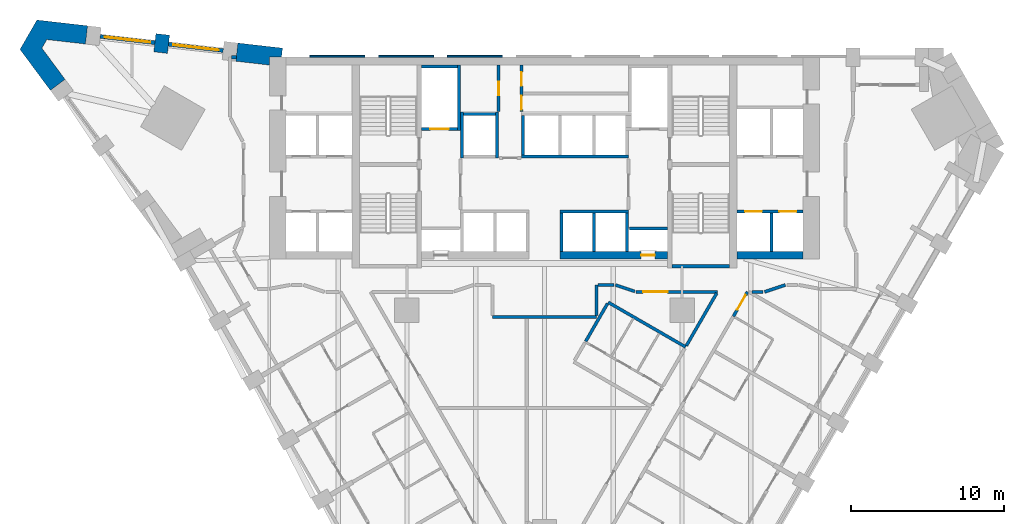
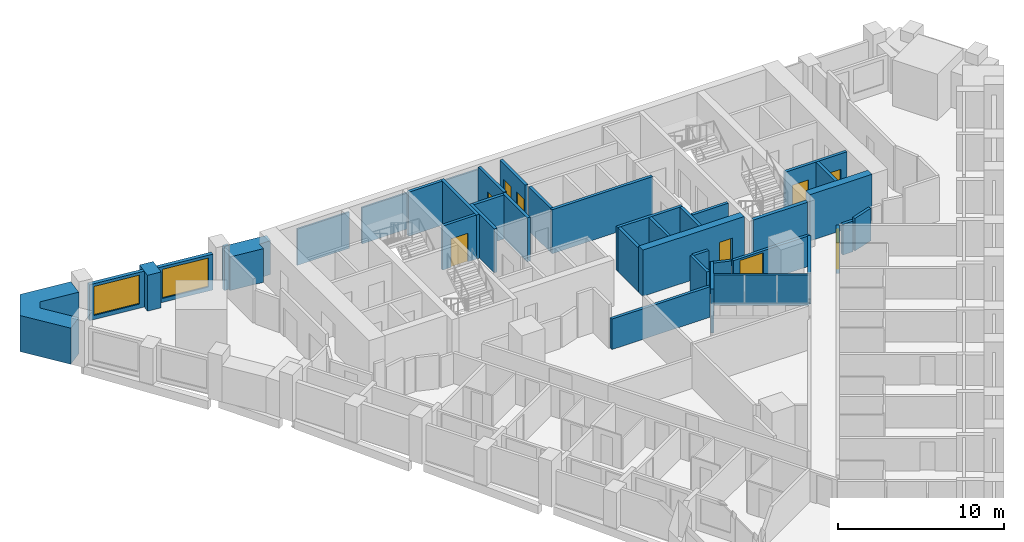
# One storey, part 8 of 12: 40 walls, 9 doors, 2 windows, 11 openings.
"""IFC4 building model written with IfcOpenShell, lengths in metres."""

from ifc_helpers import new_model, si_unit, direction, frame, frame_2d, origin, place, context, subcontext, project, spatial, polyline, rectangle, outline, extrude, material, layer, layer_set, type_object, element, fill, save


model = new_model("IFC4")

# Units and contexts
model_context = context("Model", 3, precision=1e-05, world=origin(), true_north=direction((0.0, 1.0)))
body_context = subcontext(model_context, "Body", "Model", "MODEL_VIEW")
ifc_project = project(units=[si_unit("LENGTHUNIT", "METRE"), si_unit("AREAUNIT", "SQUARE_METRE"), si_unit("VOLUMEUNIT", "CUBIC_METRE"), si_unit("PLANEANGLEUNIT", "RADIAN"), si_unit("MASSUNIT", "GRAM", prefix="KILO")], contexts=[model_context])

# Site, building, storey
site_placement = place(None, origin())
site = spatial("IfcSite", under=ifc_project, at=site_placement, CompositionType="ELEMENT")
building_placement = place(site_placement, origin())
building = spatial("IfcBuilding", under=site, at=building_placement, Name="Calabash Gate Tower", CompositionType="ELEMENT")
storey_placement = place(building_placement, frame((0.0, 0.0, 76.60009765625)))
storey = spatial("IfcBuildingStorey", under=building, at=storey_placement, Name="L15", CompositionType="ELEMENT", Elevation=76.60009765625)

# Walls
ifc_material_1 = material(Name="Terracotta brick masonry, exposed face", Category="masonry")
ifc_layer_1 = layer(ifc_material_1, 1.199951171875)
ifc_layer_set_1 = layer_set([ifc_layer_1], Name="Brick end wall 1200")
wall_type_1 = type_object("IfcWallType", Name="Brick end wall 1200", PredefinedType="SOLIDWALL", material=ifc_layer_set_1)
wall_1_placement = place(storey_placement, frame((-25.1162109375, 19.35400390625, 0.0), z_axis=(0.0, 0.0, 1.0), x_axis=(0.113735952551, 0.993511013073, 0.0)))
element("IfcWall", 1, at=wall_1_placement, inside=storey, type_object=wall_type_1, Name="Brick pier S04 wedge5.1", PredefinedType="SOLIDWALL", context=body_context, shape_type="SweptSolid", body=[
    extrude(rectangle(XDim=1.199951171875, YDim=0.89990234375, at=frame_2d((0.60009765625, 0.0))), origin(), (0.0, 0.0, 1.0), 2.6298828125),
])
wall_2_placement = place(storey_placement, origin())
element("IfcWall", 2, at=wall_2_placement, inside=storey, type_object=wall_type_1, Name="Brick end wall S04 1", PredefinedType="SOLIDWALL", context=body_context, shape_type="SweptSolid", body=[
    extrude(outline(polyline([(-20.061767578125, 19.98291015625), (-20.1982421875, 18.790771484375), (-18.0, 18.5390625), (-18.0, 19.052490234375), (-17.2099609375, 19.052490234375), (-17.141845703125, 19.648681640625), (-20.061767578125, 19.983154296875), (-20.061767578125, 19.98291015625), (-20.061767578125, 19.98291015625)])), origin(), (0.0, 0.0, 1.0), 2.473388671875),
])
wall_3_placement = place(storey_placement, origin())
element("IfcWall", 3, at=wall_3_placement, inside=storey, type_object=wall_type_1, Name="Brick end wall S04 2", PredefinedType="SOLIDWALL", context=body_context, shape_type="SweptSolid", body=[
    extrude(outline(polyline([(-29.897705078125, 21.109375), (-33.208740234375, 21.48876953125), (-34.319091796875, 19.5654296875), (-32.335205078125, 16.887451171875), (-31.370849609375, 17.601806640625), (-32.88623046875, 19.647216796875), (-32.56298828125, 20.206787109375), (-30.034423828125, 19.917236328125), (-29.897705078125, 21.109375)])), origin(), (0.0, 0.0, 1.0), 2.64990234375),
])
ifc_material_2 = material(Name="Concrete C80/95", Category="concrete")
ifc_layer_2 = layer(ifc_material_2, 0.25)
ifc_layer_set_2 = layer_set([ifc_layer_2], Name="Core wall 250 Concrete C80/95")
wall_type_2 = type_object("IfcWallType", Name="Core wall 250 Concrete C80/95", PredefinedType="SHEAR", material=ifc_layer_set_2)
wall_4_placement = place(storey_placement, frame((8.35009765625, 5.377685546875, 0.0), z_axis=(0.0, 0.0, 1.0), x_axis=(1.0, 0.0, 0.0)))
element("IfcWall", 4, at=wall_4_placement, inside=storey, type_object=wall_type_2, Name="Core wall Z1-SSE L15", PredefinedType="SHEAR", context=body_context, shape_type="SweptSolid", body=[
    extrude(rectangle(XDim=3.75, YDim=0.25, at=frame_2d((1.875, 0.0))), origin(), (0.0, 0.0, 1.0), 3.39990234375),
])

# Wall, opening, door
ifc_material_3 = material(Name="Concrete C80/95", Category="concrete")
ifc_layer_3 = layer(ifc_material_3, 0.5)
ifc_layer_set_3 = layer_set([ifc_layer_3], Name="Core wall 500 Concrete C80/95")
wall_type_3 = type_object("IfcWallType", Name="Core wall 500 Concrete C80/95", PredefinedType="SHEAR", material=ifc_layer_set_3)
wall_5_placement = place(storey_placement, frame((1.0, 6.1025390625, 0.0), z_axis=(0.0, 0.0, 1.0), x_axis=(1.0, 0.0, 0.0)))
wall_5 = element("IfcWall", 5, at=wall_5_placement, inside=storey, type_object=wall_type_3, Name="Core wall Z1-SB L15", PredefinedType="SHEAR", context=body_context, shape_type="SweptSolid", body=[
    extrude(rectangle(XDim=7.050048828125, YDim=0.5, at=frame_2d((3.52490234375, 0.0))), origin(), (0.0, 0.0, 1.0), 3.39990234375),
])
opening_1_placement = place(wall_5_placement, frame((5.324951171875, 0.0, 0.0)))
opening_1 = element("IfcOpeningElement", 6, at=opening_1_placement, cuts=wall_5, Name="Opening H4-011", PredefinedType="OPENING", context=body_context, shape_type="SweptSolid", body=[
    extrude(rectangle(XDim=0.89990234375, YDim=2.10009765625, at=frame_2d((0.449951171875, 1.050048828125))), frame((0.0, 0.260009765625, 0.0), z_axis=(0.0, -1.0, 0.0), x_axis=(1.0, 0.0, 0.0)), (0.0, 0.0, 1.0), 0.52001953125),
])
ifc_material_4 = material(Name="Steel fire door set with fire-resisting glazing", Category="steel")
door_type_1 = type_object("IfcDoorType", Name="Fire door D07 900x2100 FD90", OperationType="NOTDEFINED", PredefinedType="DOOR", material=ifc_material_4)
door_1_placement = place(opening_1_placement, origin())
door_1 = element("IfcDoor", 7, at=door_1_placement, inside=storey, type_object=door_type_1, Name="Mechanical Riser E door", OperationType="SINGLE_SWING_RIGHT", OverallHeight=2.10009765625, OverallWidth=0.89990234375, PredefinedType="DOOR", context=body_context, shape_type="SweptSolid", body=[
    extrude(rectangle(XDim=0.89990234375, YDim=2.10009765625, at=frame_2d((0.449951171875, 1.050048828125))), frame((0.0, 0.02490234375, 0.0), z_axis=(0.0, -1.0, 0.0), x_axis=(1.0, 0.0, 0.0)), (0.0, 0.0, 1.0), 0.050048828125),
])
fill(opening_1, door_1)

# Walls
wall_6_placement = place(storey_placement, frame((12.60009765625, 6.1025390625, 0.0), z_axis=(0.0, 0.0, 1.0), x_axis=(1.0, 0.0, 0.0)))
element("IfcWall", 8, at=wall_6_placement, inside=storey, type_object=wall_type_3, Name="Core wall Z1-SE L15", PredefinedType="SHEAR", context=body_context, shape_type="SweptSolid", body=[
    extrude(rectangle(XDim=4.2998046875, YDim=0.5, at=frame_2d((2.14990234375, 0.0))), origin(), (0.0, 0.0, 1.0), 3.39990234375),
])
ifc_material_5 = material(Name="Gypsum board on steel studs, mineral wool", Category="steel")
ifc_layer_4 = layer(ifc_material_5, 0.199951171875)
ifc_layer_set_4 = layer_set([ifc_layer_4], Name="Partition 200 gypsum board EI 60")
wall_type_4 = type_object("IfcWallType", Name="Partition 200 gypsum board EI 60", PredefinedType="PARTITIONING", material=ifc_layer_set_4)
wall_7_placement = place(storey_placement, frame((4.169189453125, 3.016357421875, 0.0), z_axis=(0.0, 0.0, 1.0), x_axis=(0.866018092707, -0.500012662943, 0.0)))
element("IfcWall", 9, at=wall_7_placement, inside=storey, type_object=wall_type_4, Name="Partition", PredefinedType="PARTITIONING", context=body_context, shape_type="SweptSolid", body=[
    extrude(rectangle(XDim=5.849853515625, YDim=0.199951171875, at=frame_2d((2.9248046875, 0.0))), origin(), (0.0, 0.0, 1.0), 2.24169921875),
])
wall_8_placement = place(storey_placement, frame((-3.400146484375, 2.052490234375, 0.0), z_axis=(0.0, 0.0, 1.0), x_axis=(0.999999659082, -0.000825733904, 0.0)))
element("IfcWall", 10, at=wall_8_placement, inside=storey, type_object=wall_type_4, Name="Partition", PredefinedType="PARTITIONING", context=body_context, shape_type="SweptSolid", body=[
    extrude(rectangle(XDim=6.80029296875, YDim=0.199951171875, at=frame_2d((3.400146484375, 0.0))), origin(), (0.0, 0.0, 1.0), 2.24169921875),
])
wall_9_placement = place(storey_placement, frame((3.400146484375, 2.15234375, 0.0), z_axis=(0.0, 0.0, 1.0), x_axis=(0.000977397212, 0.999999522347, 0.0)))
element("IfcWall", 11, at=wall_9_placement, inside=storey, type_object=wall_type_4, Name="Partition", PredefinedType="PARTITIONING", context=body_context, shape_type="SweptSolid", body=[
    extrude(rectangle(XDim=1.998291015625, YDim=0.199951171875, at=frame_2d((0.9990234375, 0.0))), origin(), (0.0, 0.0, 1.0), 3.22998046875),
])
wall_10_placement = place(storey_placement, frame((2.69580078125, 0.460693359375, 0.0), z_axis=(0.0, 0.0, 1.0), x_axis=(0.499502432077, 0.866312484239, 0.0)))
element("IfcWall", 12, at=wall_10_placement, inside=storey, type_object=wall_type_4, Name="Partition", PredefinedType="PARTITIONING", context=body_context, shape_type="SweptSolid", body=[
    extrude(rectangle(XDim=2.85009765625, YDim=0.199951171875, at=frame_2d((1.425048828125, 0.0))), origin(), (0.0, 0.0, 1.0), 3.22998046875),
])
wall_11_placement = place(storey_placement, frame((9.283935546875, 0.17919921875, 0.0), z_axis=(0.0, 0.0, 1.0), x_axis=(0.500368865734, 0.865812334287, 0.0)))
element("IfcWall", 13, at=wall_11_placement, inside=storey, type_object=wall_type_4, Name="Partition", PredefinedType="PARTITIONING", context=body_context, shape_type="SweptSolid", body=[
    extrude(rectangle(XDim=3.96630859375, YDim=0.199951171875, at=frame_2d((1.983154296875, 0.0))), origin(), (0.0, 0.0, 1.0), 2.24169921875),
])

# Wall, opening, door
wall_12_placement = place(storey_placement, frame((6.0, 3.69970703125, 0.0), z_axis=(0.0, 0.0, 1.0), x_axis=(1.0, 0.0, 0.0)))
wall_12 = element("IfcWall", 14, at=wall_12_placement, inside=storey, type_object=wall_type_4, Name="Partition", PredefinedType="PARTITIONING", context=body_context, shape_type="SweptSolid", body=[
    extrude(rectangle(XDim=5.318603515625, YDim=0.199951171875, at=frame_2d((2.6591796875, 0.0))), origin(), (0.0, 0.0, 1.0), 2.24169921875),
])
opening_2_placement = place(wall_12_placement, frame((0.458740234375, 0.0, 0.0)))
opening_2 = element("IfcOpeningElement", 15, at=opening_2_placement, cuts=wall_12, Name="Opening 15-17-036", PredefinedType="OPENING", context=body_context, shape_type="SweptSolid", body=[
    extrude(rectangle(XDim=1.60009765625, YDim=2.10009765625, at=frame_2d((0.800048828125, 1.050048828125))), frame((0.0, 0.10986328125, 0.0), z_axis=(0.0, -1.0, 0.0), x_axis=(1.0, 0.0, 0.0)), (0.0, 0.0, 1.0), 0.219970703125),
])
ifc_material_6 = material(Name="Steel fire door set with fire-resisting glazing", Category="steel")
door_type_2 = type_object("IfcDoorType", Name="LD1 Lounge double door 1600x2100", OperationType="NOTDEFINED", PredefinedType="DOOR", material=ifc_material_6)
door_2_placement = place(opening_2_placement, origin())
door_2 = element("IfcDoor", 16, at=door_2_placement, inside=storey, type_object=door_type_2, Name="Lounge double door", OperationType="DOUBLE_DOOR_SINGLE_SWING", OverallHeight=2.10009765625, OverallWidth=1.60009765625, PredefinedType="DOOR", context=body_context, shape_type="SweptSolid", body=[
    extrude(rectangle(XDim=1.60009765625, YDim=2.10009765625, at=frame_2d((0.800048828125, 1.050048828125))), frame((0.0, 0.02490234375, 0.0), z_axis=(0.0, -1.0, 0.0), x_axis=(1.0, 0.0, 0.0)), (0.0, 0.0, 1.0), 0.050048828125),
])
fill(opening_2, door_2)

wall_13_placement = place(storey_placement, frame((12.358642578125, 2.0966796875, 0.0), z_axis=(0.0, 0.0, 1.0), x_axis=(0.499120619587, 0.866532519357, 0.0)))
wall_13 = element("IfcWall", 17, at=wall_13_placement, inside=storey, type_object=wall_type_4, Name="Partition", PredefinedType="PARTITIONING", context=body_context, shape_type="SweptSolid", body=[
    extrude(rectangle(XDim=1.849853515625, YDim=0.199951171875, at=frame_2d((0.9248046875, 0.0))), origin(), (0.0, 0.0, 1.0), 2.24169921875),
])
opening_3_placement = place(wall_13_placement, frame((0.499755859375, 0.0, 0.0)))
opening_3 = element("IfcOpeningElement", 18, at=opening_3_placement, cuts=wall_13, Name="Opening 15-17-025", PredefinedType="OPENING", context=body_context, shape_type="SweptSolid", body=[
    extrude(rectangle(XDim=1.10009765625, YDim=2.10009765625, at=frame_2d((0.550048828125, 1.050048828125))), frame((0.0, 0.10986328125, 0.0), z_axis=(0.0, -1.0, 0.0), x_axis=(1.0, 0.0, 0.0)), (0.0, 0.0, 1.0), 0.219970703125),
])
ifc_material_7 = material(Name="Steel fire door set with fire-resisting glazing", Category="steel")
door_type_3 = type_object("IfcDoorType", Name="GD2 Accessible guest room entrance door 1100x2100", OperationType="NOTDEFINED", PredefinedType="DOOR", material=ifc_material_7)
door_3_placement = place(opening_3_placement, origin())
door_3 = element("IfcDoor", 19, at=door_3_placement, inside=storey, type_object=door_type_3, Name="Accessible guest room entrance door", OperationType="SINGLE_SWING_LEFT", OverallHeight=2.10009765625, OverallWidth=1.10009765625, PredefinedType="DOOR", context=body_context, shape_type="SweptSolid", body=[
    extrude(rectangle(XDim=1.10009765625, YDim=2.10009765625, at=frame_2d((0.550048828125, 1.050048828125))), frame((0.0, 0.02490234375, 0.0), z_axis=(0.0, -1.0, 0.0), x_axis=(1.0, 0.0, 0.0)), (0.0, 0.0, 1.0), 0.050048828125),
])
fill(opening_3, door_3)

# Walls
wall_14_placement = place(storey_placement, frame((13.583251953125, 3.699462890625, 0.0), z_axis=(0.0, 0.0, 1.0), x_axis=(1.0, 0.0, 0.0)))
element("IfcWall", 20, at=wall_14_placement, inside=storey, type_object=wall_type_4, Name="Partition", PredefinedType="PARTITIONING", context=body_context, shape_type="SweptSolid", body=[
    extrude(rectangle(XDim=0.716796875, YDim=0.199951171875, at=frame_2d((0.3583984375, 0.0))), origin(), (0.0, 0.0, 1.0), 2.24169921875),
])
wall_15_placement = place(storey_placement, frame((14.400146484375, 3.699462890625, 0.0), z_axis=(0.0, 0.0, 1.0), x_axis=(0.948666237396, 0.316278943379, 0.0)))
element("IfcWall", 21, at=wall_15_placement, inside=storey, type_object=wall_type_4, Name="Partition", PredefinedType="PARTITIONING", context=body_context, shape_type="SweptSolid", body=[
    extrude(rectangle(XDim=1.43115234375, YDim=0.199951171875, at=frame_2d((0.715576171875, 0.0))), origin(), (0.0, 0.0, 1.0), 2.384033203125),
])
wall_16_placement = place(storey_placement, frame((3.501953125, 4.150634765625, 0.0), z_axis=(0.0, 0.0, 1.0), x_axis=(0.9999990086, 0.001408118764, 0.0)))
element("IfcWall", 22, at=wall_16_placement, inside=storey, type_object=wall_type_4, Name="Partition", PredefinedType="PARTITIONING", context=body_context, shape_type="SweptSolid", body=[
    extrude(rectangle(XDim=1.040283203125, YDim=0.199951171875, at=frame_2d((0.52001953125, 0.0))), origin(), (0.0, 0.0, 1.0), 3.22998046875),
])
wall_17_placement = place(storey_placement, frame((4.642333984375, 4.15234375, 0.0), z_axis=(0.0, 0.0, 1.0), x_axis=(0.948683298051, -0.316227766017, 0.0)))
element("IfcWall", 23, at=wall_17_placement, inside=storey, type_object=wall_type_4, Name="Partition", PredefinedType="PARTITIONING", context=body_context, shape_type="SweptSolid", body=[
    extrude(rectangle(XDim=1.3310546875, YDim=0.199951171875, at=frame_2d((0.66552734375, 0.0))), origin(), (0.0, 0.0, 1.0), 2.24169921875),
])
wall_18_placement = place(storey_placement, frame((-20.489013671875, 19.052490234375, 0.0), z_axis=(0.0, 0.0, 1.0), x_axis=(0.999999710413, 0.000761034787, 0.0)))
element("IfcWall", 24, at=wall_18_placement, inside=storey, type_object=wall_type_4, Name="Partition", PredefinedType="PARTITIONING", context=body_context, shape_type="SweptSolid", body=[
    extrude(rectangle(XDim=0.32080078125, YDim=0.199951171875, at=frame_2d((0.160400390625, 0.0))), origin(), (0.0, 0.0, 1.0), 3.22998046875),
])

# Wall, opening, window
ifc_material_8 = material(Name="Aluminium framed window wall with insulated spandrel", Category="aluminium")
ifc_layer_5 = layer(ifc_material_8, 0.25)
ifc_layer_set_5 = layer_set([ifc_layer_5], Name="Prow window wall 250")
wall_type_5 = type_object("IfcWallType", Name="Prow window wall 250", PredefinedType="ELEMENTEDWALL", material=ifc_layer_set_5)
wall_19_placement = place(storey_placement, frame((-21.024169921875, 19.4892578125, 0.0), z_axis=(0.0, 0.0, 1.0), x_axis=(-0.993504225498, 0.113795228013, 0.0)))
wall_19 = element("IfcWall", 25, at=wall_19_placement, inside=storey, type_object=wall_type_5, Name="Prow window wall S04 wedge5.1", PredefinedType="ELEMENTEDWALL", context=body_context, shape_type="SweptSolid", body=[
    extrude(rectangle(XDim=3.60009765625, YDim=0.25, at=frame_2d((1.800048828125, 0.0))), origin(), (0.0, 0.0, 1.0), 2.6298828125),
])
opening_4_placement = place(wall_19_placement, frame((0.300048828125, 0.0, 0.300048828125)))
opening_4 = element("IfcOpeningElement", 26, at=opening_4_placement, cuts=wall_19, Name="Opening WP1L-2130", PredefinedType="OPENING", context=body_context, shape_type="SweptSolid", body=[
    extrude(rectangle(XDim=3.0, YDim=2.1298828125, at=frame_2d((1.5, 1.06494140625))), frame((0.0, 0.135009765625, 0.0), z_axis=(0.0, -1.0, 0.0), x_axis=(1.0, 0.0, 0.0)), (0.0, 0.0, 1.0), 0.27001953125),
])
ifc_material_9 = material(Name="Anodised aluminium frame, bronze finish, impact-rated laminated clear glazing", Category="aluminium")
window_type = type_object("IfcWindowType", Name="Window WP1L 3000x2130", PartitioningType="DOUBLE_PANEL_VERTICAL", PredefinedType="WINDOW", material=ifc_material_9)
window_1_placement = place(opening_4_placement, origin())
window_1 = element("IfcWindow", 27, at=window_1_placement, inside=storey, type_object=window_type, Name="Prow window WP1L S04 wedge5.1", OverallHeight=2.1298828125, OverallWidth=3.0, PartitioningType="SINGLE_PANEL", PredefinedType="WINDOW", context=body_context, shape_type="SweptSolid", body=[
    extrude(rectangle(XDim=3.0, YDim=2.1298828125, at=frame_2d((1.5, 1.06494140625))), frame((0.0, 0.030029296875, 0.0), z_axis=(0.0, -1.0, 0.0), x_axis=(1.0, 0.0, 0.0)), (0.0, 0.0, 1.0), 0.06005859375),
])
fill(opening_4, window_1)

wall_20_placement = place(storey_placement, frame((-25.4951171875, 20.00146484375, 0.0), z_axis=(0.0, 0.0, 1.0), x_axis=(-0.993511890309, 0.113728289423, 0.0)))
wall_20 = element("IfcWall", 28, at=wall_20_placement, inside=storey, type_object=wall_type_5, Name="Prow window wall S04 wedge5.2", PredefinedType="ELEMENTEDWALL", context=body_context, shape_type="SweptSolid", body=[
    extrude(rectangle(XDim=3.60009765625, YDim=0.25, at=frame_2d((1.800048828125, 0.0))), origin(), (0.0, 0.0, 1.0), 2.6298828125),
])
opening_5_placement = place(wall_20_placement, frame((0.300048828125, 0.0, 0.300048828125)))
opening_5 = element("IfcOpeningElement", 29, at=opening_5_placement, cuts=wall_20, Name="Opening WP1L-2130", PredefinedType="OPENING", context=body_context, shape_type="SweptSolid", body=[
    extrude(rectangle(XDim=3.0, YDim=2.1298828125, at=frame_2d((1.5, 1.06494140625))), frame((0.0, 0.135009765625, 0.0), z_axis=(0.0, -1.0, 0.0), x_axis=(1.0, 0.0, 0.0)), (0.0, 0.0, 1.0), 0.27001953125),
])
window_2_placement = place(opening_5_placement, origin())
window_2 = element("IfcWindow", 30, at=window_2_placement, inside=storey, type_object=window_type, Name="Prow window WP1L S04 wedge5.2", OverallHeight=2.1298828125, OverallWidth=3.0, PartitioningType="SINGLE_PANEL", PredefinedType="WINDOW", context=body_context, shape_type="SweptSolid", body=[
    extrude(rectangle(XDim=3.0, YDim=2.1298828125, at=frame_2d((1.5, 1.06494140625))), frame((0.0, 0.030029296875, 0.0), z_axis=(0.0, -1.0, 0.0), x_axis=(1.0, 0.0, 0.0)), (0.0, 0.0, 1.0), 0.06005859375),
])
fill(opening_5, window_2)

# Walls
ifc_material_10 = material(Name="Concrete C40/50", Category="concrete")
ifc_layer_6 = layer(ifc_material_10, 0.199951171875)
ifc_layer_set_6 = layer_set([ifc_layer_6], Name="Shaft wall 200 Concrete C40/50")
wall_type_6 = type_object("IfcWallType", Name="Shaft wall 200 Concrete C40/50", PredefinedType="SOLIDWALL", material=ifc_layer_set_6)
for number, where, z_axis, x_axis, name in (
    (31, (1.10009765625, 6.3525390625, 0.0), (0.0, 0.0, 1.0), (0.0, 1.0, 0.0), "Shaft wall"),
    (32, (3.25, 6.3525390625, 0.0), (0.0, 0.0, 1.0), (0.0, 1.0, 0.0), "Shaft wall"),
    (33, (5.39990234375, 6.3525390625, 0.0), (0.0, 0.0, 1.0), (0.0, 1.0, 0.0), "Shaft wall"),
    (34, (14.85009765625, 6.3525390625, 0.0), (0.0, 0.0, 1.0), (0.0, 1.0, 0.0), "Shaft wall"),
    (35, (5.550048828125, 7.8525390625, 0.0), (0.0, 0.0, 1.0), (1.0, 0.0, 0.0), "Shaft wall"),
):
    element("IfcWall", number, at=place(storey_placement, frame(where, z_axis=z_axis, x_axis=x_axis)), inside=storey, type_object=wall_type_6, Name=name, PredefinedType="SOLIDWALL", context=body_context, shape_type="SweptSolid", body=[
        extrude(rectangle(XDim=2.5, YDim=0.199951171875, at=frame_2d((1.25, 0.0))), origin(), (0.0, 0.0, 1.0), 3.22998046875),
    ])
wall_21_placement = place(storey_placement, frame((1.0, 8.95263671875, 0.0), z_axis=(0.0, 0.0, 1.0), x_axis=(1.0, 0.0, 0.0)))
element("IfcWall", 36, at=wall_21_placement, inside=storey, type_object=wall_type_6, Name="Shaft wall", PredefinedType="SOLIDWALL", context=body_context, shape_type="SweptSolid", body=[
    extrude(rectangle(XDim=4.5, YDim=0.199951171875, at=frame_2d((2.25, 0.0))), origin(), (0.0, 0.0, 1.0), 3.22998046875),
])

# Wall, openings, doors
wall_22_placement = place(storey_placement, frame((12.60009765625, 8.95263671875, 0.0), z_axis=(0.0, 0.0, 1.0), x_axis=(1.0, 0.0, 0.0)))
wall_22 = element("IfcWall", 37, at=wall_22_placement, inside=storey, type_object=wall_type_6, Name="Shaft wall", PredefinedType="SOLIDWALL", context=body_context, shape_type="SweptSolid", body=[
    extrude(rectangle(XDim=4.2998046875, YDim=0.199951171875, at=frame_2d((2.14990234375, 0.0))), origin(), (0.0, 0.0, 1.0), 3.22998046875),
])
opening_6_placement = place(wall_22_placement, frame((0.52490234375, 0.0, 0.0)))
opening_6 = element("IfcOpeningElement", 38, at=opening_6_placement, cuts=wall_22, Name="Opening LD-LR5", PredefinedType="OPENING", context=body_context, shape_type="SweptSolid", body=[
    extrude(rectangle(XDim=1.10009765625, YDim=2.10009765625, at=frame_2d((0.550048828125, 1.050048828125))), frame((0.0, 0.10986328125, 0.0), z_axis=(0.0, -1.0, 0.0), x_axis=(1.0, 0.0, 0.0)), (0.0, 0.0, 1.0), 0.219970703125),
])
opening_7_placement = place(wall_22_placement, frame((2.77490234375, 0.0, 0.0)))
opening_7 = element("IfcOpeningElement", 39, at=opening_7_placement, cuts=wall_22, Name="Opening LD-LR6", PredefinedType="OPENING", context=body_context, shape_type="SweptSolid", body=[
    extrude(rectangle(XDim=1.10009765625, YDim=2.10009765625, at=frame_2d((0.550048828125, 1.050048828125))), frame((0.0, 0.10986328125, 0.0), z_axis=(0.0, -1.0, 0.0), x_axis=(1.0, 0.0, 0.0)), (0.0, 0.0, 1.0), 0.219970703125),
])
ifc_material_11 = material(Name="Stainless steel sliding door leaves", Category="steel")
door_type_4 = type_object("IfcDoorType", Name="Lift landing door LS1 1100x2100 FD90", OperationType="DOUBLE_DOOR_SLIDING", PredefinedType="DOOR", material=ifc_material_11)
door_4_placement = place(opening_6_placement, origin())
door_4 = element("IfcDoor", 40, at=door_4_placement, inside=storey, type_object=door_type_4, Name="Lift landing door LR5", OperationType="DOUBLE_DOOR_SLIDING", OverallHeight=2.10009765625, OverallWidth=1.10009765625, PredefinedType="DOOR", context=body_context, shape_type="SweptSolid", body=[
    extrude(rectangle(XDim=1.10009765625, YDim=2.10009765625, at=frame_2d((0.550048828125, 1.050048828125))), frame((0.0, 0.02490234375, 0.0), z_axis=(0.0, -1.0, 0.0), x_axis=(1.0, 0.0, 0.0)), (0.0, 0.0, 1.0), 0.050048828125),
])
fill(opening_6, door_4)
door_5_placement = place(opening_7_placement, origin())
door_5 = element("IfcDoor", 41, at=door_5_placement, inside=storey, type_object=door_type_4, Name="Lift landing door LR6", OperationType="DOUBLE_DOOR_SLIDING", OverallHeight=2.10009765625, OverallWidth=1.10009765625, PredefinedType="DOOR", context=body_context, shape_type="SweptSolid", body=[
    extrude(rectangle(XDim=1.10009765625, YDim=2.10009765625, at=frame_2d((0.550048828125, 1.050048828125))), frame((0.0, 0.02490234375, 0.0), z_axis=(0.0, -1.0, 0.0), x_axis=(1.0, 0.0, 0.0)), (0.0, 0.0, 1.0), 0.050048828125),
])
fill(opening_7, door_5)

# Walls
for number, where, z_axis, x_axis, name in (
    (42, (-5.39990234375, 12.45263671875, 0.0), (0.0, 0.0, 1.0), (0.0, 1.0, 0.0), "Shaft wall"),
    (43, (-3.10009765625, 12.45263671875, 0.0), (0.0, 0.0, 1.0), (0.0, 1.0, 0.0), "Shaft wall"),
):
    element("IfcWall", number, at=place(storey_placement, frame(where, z_axis=z_axis, x_axis=x_axis)), inside=storey, type_object=wall_type_6, Name=name, PredefinedType="SOLIDWALL", context=body_context, shape_type="SweptSolid", body=[
        extrude(rectangle(XDim=3.0, YDim=0.199951171875, at=frame_2d((1.5, 0.0))), origin(), (0.0, 0.0, 1.0), 3.22998046875),
    ])
wall_23_placement = place(storey_placement, frame((-1.5, 12.552490234375, 0.0), z_axis=(0.0, 0.0, 1.0), x_axis=(1.0, 0.0, 0.0)))
element("IfcWall", 44, at=wall_23_placement, inside=storey, type_object=wall_type_6, Name="Shaft wall", PredefinedType="SOLIDWALL", context=body_context, shape_type="SweptSolid", body=[
    extrude(rectangle(XDim=7.0, YDim=0.199951171875, at=frame_2d((3.5, 0.0))), origin(), (0.0, 0.0, 1.0), 3.22998046875),
])
wall_24_placement = place(storey_placement, frame((-1.39990234375, 12.652587890625, 0.0), z_axis=(0.0, 0.0, 1.0), x_axis=(0.0, 1.0, 0.0)))
element("IfcWall", 45, at=wall_24_placement, inside=storey, type_object=wall_type_6, Name="Shaft wall", PredefinedType="SOLIDWALL", context=body_context, shape_type="SweptSolid", body=[
    extrude(rectangle(XDim=2.60009765625, YDim=0.199951171875, at=frame_2d((1.300048828125, 0.0))), origin(), (0.0, 0.0, 1.0), 3.22998046875),
])

# Wall, opening, door
wall_25_placement = place(storey_placement, frame((-8.050048828125, 14.3525390625, 0.0), z_axis=(0.0, 0.0, 1.0), x_axis=(1.0, 0.0, 0.0)))
wall_25 = element("IfcWall", 46, at=wall_25_placement, inside=storey, type_object=wall_type_6, Name="Shaft wall", PredefinedType="SOLIDWALL", context=body_context, shape_type="SweptSolid", body=[
    extrude(rectangle(XDim=2.35009765625, YDim=0.199951171875, at=frame_2d((1.175048828125, 0.0))), origin(), (0.0, 0.0, 1.0), 3.22998046875),
])
opening_8_placement = place(wall_25_placement, frame((0.574951171875, 0.0, 0.0)))
opening_8 = element("IfcOpeningElement", 47, at=opening_8_placement, cuts=wall_25, Name="Opening LD-FF1", PredefinedType="OPENING", context=body_context, shape_type="SweptSolid", body=[
    extrude(rectangle(XDim=1.199951171875, YDim=2.10009765625, at=frame_2d((0.60009765625, 1.050048828125))), frame((0.0, 0.10986328125, 0.0), z_axis=(0.0, -1.0, 0.0), x_axis=(1.0, 0.0, 0.0)), (0.0, 0.0, 1.0), 0.219970703125),
])
ifc_material_12 = material(Name="Stainless steel sliding door leaves", Category="steel")
door_type_5 = type_object("IfcDoorType", Name="Lift landing door LS3 1200x2100 FD90", OperationType="DOUBLE_DOOR_SLIDING", PredefinedType="DOOR", material=ifc_material_12)
door_6_placement = place(opening_8_placement, origin())
door_6 = element("IfcDoor", 48, at=door_6_placement, inside=storey, type_object=door_type_5, Name="Lift landing door FF1", OperationType="DOUBLE_DOOR_SLIDING", OverallHeight=2.10009765625, OverallWidth=1.199951171875, PredefinedType="DOOR", context=body_context, shape_type="SweptSolid", body=[
    extrude(rectangle(XDim=1.199951171875, YDim=2.10009765625, at=frame_2d((0.60009765625, 1.050048828125))), frame((0.0, 0.02490234375, 0.0), z_axis=(0.0, -1.0, 0.0), x_axis=(1.0, 0.0, 0.0)), (0.0, 0.0, 1.0), 0.050048828125),
])
fill(opening_8, door_6)

# Walls
wall_26_placement = place(storey_placement, frame((-5.60009765625, 14.252685546875, 0.0), z_axis=(0.0, 0.0, 1.0), x_axis=(0.0, 1.0, 0.0)))
element("IfcWall", 49, at=wall_26_placement, inside=storey, type_object=wall_type_6, Name="Shaft wall", PredefinedType="SOLIDWALL", context=body_context, shape_type="SweptSolid", body=[
    extrude(rectangle(XDim=4.2998046875, YDim=0.199951171875, at=frame_2d((2.14990234375, 0.0))), origin(), (0.0, 0.0, 1.0), 3.22998046875),
])
wall_27_placement = place(storey_placement, frame((-5.300048828125, 15.3525390625, 0.0), z_axis=(0.0, 0.0, 1.0), x_axis=(1.0, 0.0, 0.0)))
element("IfcWall", 50, at=wall_27_placement, inside=storey, type_object=wall_type_6, Name="Shaft wall", PredefinedType="SOLIDWALL", context=body_context, shape_type="SweptSolid", body=[
    extrude(rectangle(XDim=2.10009765625, YDim=0.199951171875, at=frame_2d((1.050048828125, 0.0))), origin(), (0.0, 0.0, 1.0), 3.22998046875),
])

# Wall, opening, door
wall_28_placement = place(storey_placement, frame((-3.0, 15.502685546875, 0.0), z_axis=(0.0, 0.0, 1.0), x_axis=(0.0, 1.0, 0.0)))
wall_28 = element("IfcWall", 51, at=wall_28_placement, inside=storey, type_object=wall_type_6, Name="Shaft wall", PredefinedType="SOLIDWALL", context=body_context, shape_type="SweptSolid", body=[
    extrude(rectangle(XDim=3.0498046875, YDim=0.199951171875, at=frame_2d((1.52490234375, 0.0))), origin(), (0.0, 0.0, 1.0), 3.22998046875),
])
opening_9_placement = place(wall_28_placement, frame((1.050048828125, 0.0, 0.0)))
opening_9 = element("IfcOpeningElement", 52, at=opening_9_placement, cuts=wall_28, Name="Opening H4-008", PredefinedType="OPENING", context=body_context, shape_type="SweptSolid", body=[
    extrude(rectangle(XDim=0.89990234375, YDim=2.10009765625, at=frame_2d((0.449951171875, 1.050048828125))), frame((0.0, 0.10986328125, 0.0), z_axis=(0.0, -1.0, 0.0), x_axis=(1.0, 0.0, 0.0)), (0.0, 0.0, 1.0), 0.219970703125),
])
ifc_material_13 = material(Name="Steel fire door set with fire-resisting glazing", Category="steel")
door_type_6 = type_object("IfcDoorType", Name="Fire door D06 900x2100 FD60", OperationType="NOTDEFINED", PredefinedType="DOOR", material=ifc_material_13)
door_7_placement = place(opening_9_placement, origin())
door_7 = element("IfcDoor", 53, at=door_7_placement, inside=storey, type_object=door_type_6, Name="Cleaner's Store door", OperationType="SINGLE_SWING_LEFT", OverallHeight=2.10009765625, OverallWidth=0.89990234375, PredefinedType="DOOR", context=body_context, shape_type="SweptSolid", body=[
    extrude(rectangle(XDim=0.89990234375, YDim=2.10009765625, at=frame_2d((0.449951171875, 1.050048828125))), frame((0.0, 0.02490234375, 0.0), z_axis=(0.0, -1.0, 0.0), x_axis=(1.0, 0.0, 0.0)), (0.0, 0.0, 1.0), 0.050048828125),
])
fill(opening_9, door_7)

# Wall, openings, doors
wall_29_placement = place(storey_placement, frame((-1.5, 15.502685546875, 0.0), z_axis=(0.0, 0.0, 1.0), x_axis=(0.0, 1.0, 0.0)))
wall_29 = element("IfcWall", 54, at=wall_29_placement, inside=storey, type_object=wall_type_6, Name="Shaft wall", PredefinedType="SOLIDWALL", context=body_context, shape_type="SweptSolid", body=[
    extrude(rectangle(XDim=3.0498046875, YDim=0.199951171875, at=frame_2d((1.52490234375, 0.0))), origin(), (0.0, 0.0, 1.0), 3.22998046875),
])
opening_10_placement = place(wall_29_placement, frame((0.1201171875, 0.0, 0.0)))
opening_10 = element("IfcOpeningElement", 55, at=opening_10_placement, cuts=wall_29, Name="Opening H4-009", PredefinedType="OPENING", context=body_context, shape_type="SweptSolid", body=[
    extrude(rectangle(XDim=0.89990234375, YDim=2.10009765625, at=frame_2d((0.449951171875, 1.050048828125))), frame((0.0, 0.10986328125, 0.0), z_axis=(0.0, -1.0, 0.0), x_axis=(1.0, 0.0, 0.0)), (0.0, 0.0, 1.0), 0.219970703125),
])
opening_11_placement = place(wall_29_placement, frame((1.669921875, 0.0, 0.0)))
opening_11 = element("IfcOpeningElement", 56, at=opening_11_placement, cuts=wall_29, Name="Opening H4-010", PredefinedType="OPENING", context=body_context, shape_type="SweptSolid", body=[
    extrude(rectangle(XDim=0.89990234375, YDim=2.10009765625, at=frame_2d((0.449951171875, 1.050048828125))), frame((0.0, 0.10986328125, 0.0), z_axis=(0.0, -1.0, 0.0), x_axis=(1.0, 0.0, 0.0)), (0.0, 0.0, 1.0), 0.219970703125),
])
door_8_placement = place(opening_10_placement, origin())
door_8 = element("IfcDoor", 57, at=door_8_placement, inside=storey, type_object=door_type_6, Name="Hotel Pantry door", OperationType="SINGLE_SWING_LEFT", OverallHeight=2.10009765625, OverallWidth=0.89990234375, PredefinedType="DOOR", context=body_context, shape_type="SweptSolid", body=[
    extrude(rectangle(XDim=0.89990234375, YDim=2.10009765625, at=frame_2d((0.449951171875, 1.050048828125))), frame((0.0, 0.02490234375, 0.0), z_axis=(0.0, -1.0, 0.0), x_axis=(1.0, 0.0, 0.0)), (0.0, 0.0, 1.0), 0.050048828125),
])
fill(opening_10, door_8)
door_9_placement = place(opening_11_placement, origin())
door_9 = element("IfcDoor", 58, at=door_9_placement, inside=storey, type_object=door_type_6, Name="Luggage Store door", OperationType="SINGLE_SWING_LEFT", OverallHeight=2.10009765625, OverallWidth=0.89990234375, PredefinedType="DOOR", context=body_context, shape_type="SweptSolid", body=[
    extrude(rectangle(XDim=0.89990234375, YDim=2.10009765625, at=frame_2d((0.449951171875, 1.050048828125))), frame((0.0, 0.02490234375, 0.0), z_axis=(0.0, -1.0, 0.0), x_axis=(1.0, 0.0, 0.0)), (0.0, 0.0, 1.0), 0.050048828125),
])
fill(opening_11, door_9)

# Walls
wall_30_placement = place(storey_placement, frame((-8.050048828125, 18.45263671875, 0.0), z_axis=(0.0, 0.0, 1.0), x_axis=(1.0, 0.0, 0.0)))
element("IfcWall", 59, at=wall_30_placement, inside=storey, type_object=wall_type_6, Name="Shaft wall", PredefinedType="SOLIDWALL", context=body_context, shape_type="SweptSolid", body=[
    extrude(rectangle(XDim=2.35009765625, YDim=0.199951171875, at=frame_2d((1.175048828125, 0.0))), origin(), (0.0, 0.0, 1.0), 3.22998046875),
])
ifc_material_14 = material(Name="Terracotta brick masonry, perforated", Category="masonry")
ifc_layer_7 = layer(ifc_material_14, 0.1201171875)
ifc_layer_set_7 = layer_set([ifc_layer_7], Name="Terracotta jaali cladding B 120")
wall_type_7 = type_object("IfcWallType", Name="Terracotta jaali cladding B 120", PredefinedType="SOLIDWALL", material=ifc_layer_set_7)
wall_31_placement = place(storey_placement, origin())
element("IfcWall", 60, at=wall_31_placement, inside=storey, type_object=wall_type_7, Name="Jaali cladding S04 N4.7", PredefinedType="SOLIDWALL", context=body_context, shape_type="SweptSolid", body=[
    extrude(outline(polyline([(-6.358154296875, 19.172607421875), (-6.358154296875, 19.052490234375), (-2.75830078125, 19.052490234375), (-2.75830078125, 19.172607421875), (-6.358154296875, 19.172607421875)])), origin(), (0.0, 0.0, 1.0), 2.64990234375),
])
wall_32_placement = place(storey_placement, origin())
element("IfcWall", 61, at=wall_32_placement, inside=storey, type_object=wall_type_7, Name="Jaali cladding S04 N4.9", PredefinedType="SOLIDWALL", context=body_context, shape_type="SweptSolid", body=[
    extrude(outline(polyline([(-15.358154296875, 19.172607421875), (-15.358154296875, 19.052490234375), (-11.75830078125, 19.052490234375), (-11.75830078125, 19.172607421875), (-15.358154296875, 19.172607421875)])), origin(), (0.0, 0.0, 1.0), 2.64990234375),
])
ifc_material_15 = material(Name="Terracotta louvre blades in an aluminium frame", Category="masonry")
ifc_layer_8 = layer(ifc_material_15, 0.1201171875)
ifc_layer_set_8 = layer_set([ifc_layer_8], Name="Terracotta vent louvre cladding 120")
wall_type_8 = type_object("IfcWallType", Name="Terracotta vent louvre cladding 120", PredefinedType="ELEMENTEDWALL", material=ifc_layer_set_8)
wall_33_placement = place(storey_placement, origin())
element("IfcWall", 62, at=wall_33_placement, inside=storey, type_object=wall_type_8, Name="Vent louvre cladding S04 N4.8", PredefinedType="ELEMENTEDWALL", context=body_context, shape_type="SweptSolid", body=[
    extrude(outline(polyline([(-10.858154296875, 19.172607421875), (-10.858154296875, 19.052490234375), (-7.25830078125, 19.052490234375), (-7.25830078125, 19.172607421875), (-10.858154296875, 19.172607421875)])), origin(), (0.0, 0.0, 1.0), 2.64990234375),
])

save(model, "model.ifc")
